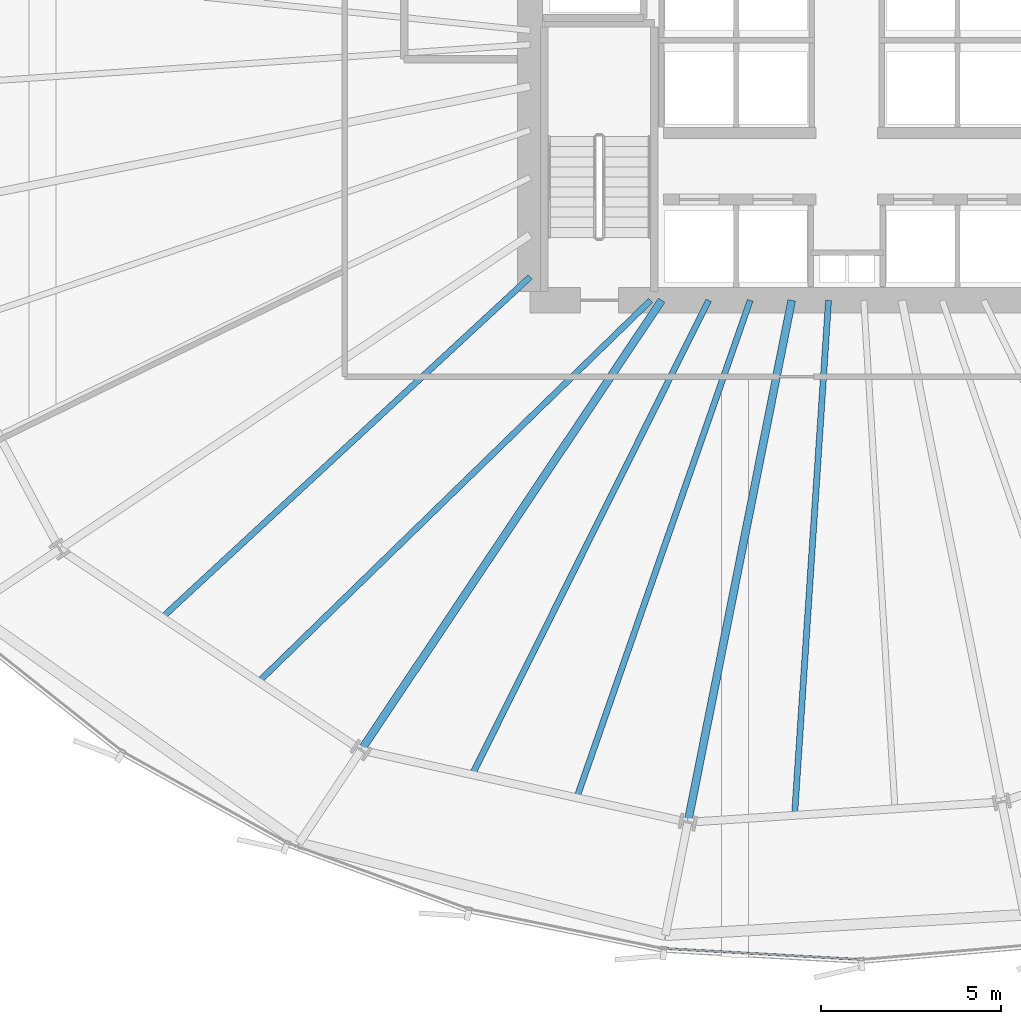
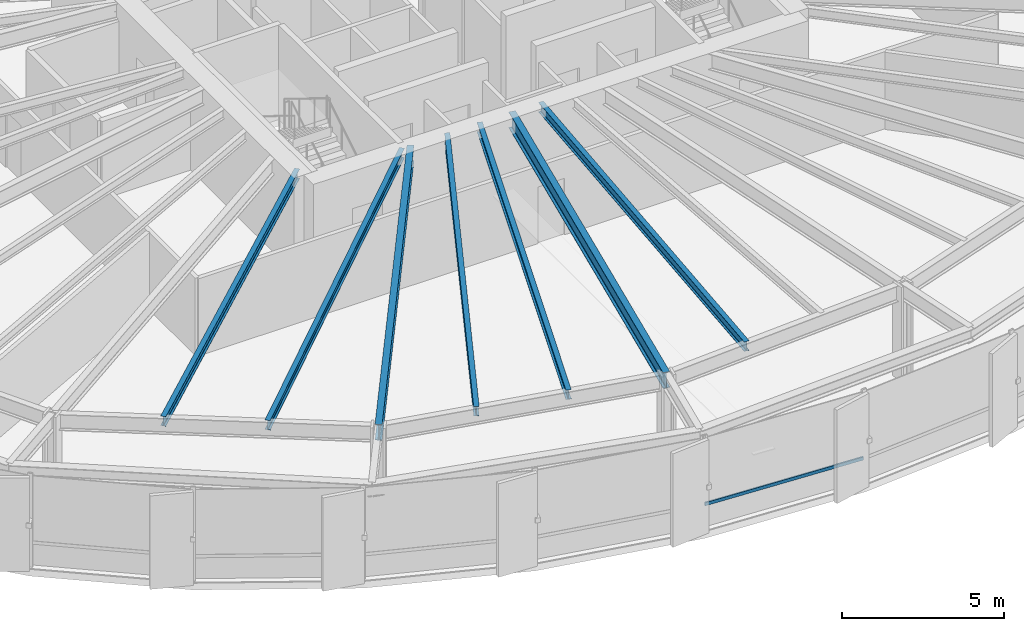
# One storey, part 5 of 39: 7 beams, 1 member, 1 element without a shape of its own.
"""IFC4 building model written with IfcOpenShell, lengths in metres."""

from ifc_helpers import new_model, si_unit, direction, frame, origin, origin_2d, place, context, subcontext, project, spatial, hollow_rectangle, i_section, extrude, source, transform, mapped, material, layer, layer_set, material_profile, profile_set, type_object, element, aggregate, save


model = new_model("IFC4")

# Units and contexts
model_context = context("Model", 3, precision=1e-05, world=origin(), true_north=direction((0.0, 1.0)))
body_context = subcontext(model_context, "Body", "Model", "MODEL_VIEW")
ifc_project = project(units=[si_unit("LENGTHUNIT", "METRE"), si_unit("AREAUNIT", "SQUARE_METRE"), si_unit("VOLUMEUNIT", "CUBIC_METRE"), si_unit("PLANEANGLEUNIT", "RADIAN"), si_unit("MASSUNIT", "GRAM", prefix="KILO"), si_unit("THERMODYNAMICTEMPERATUREUNIT", "KELVIN")], contexts=[model_context])

# Site, building, storey
site_placement = place(None, origin())
site = spatial("IfcSite", under=ifc_project, at=site_placement, CompositionType="ELEMENT")
building_placement = place(site_placement, origin())
building = spatial("IfcBuilding", under=site, at=building_placement, Name="Kethvar Cultural Tower", CompositionType="ELEMENT")
storey_placement = place(building_placement, frame((0.0, 0.0, 33.39990234375)))
storey = spatial("IfcBuildingStorey", under=building, at=storey_placement, Name="L07", CompositionType="ELEMENT", Elevation=33.39990234375)

# Beams
ifc_material_1 = material(Name="Steel S355J2", Category="steel")
ifc_material_profile_1 = material_profile(ifc_material_1, i_section(OverallWidth=0.219970703125, OverallDepth=0.60009765625, WebThickness=0.011962890625, FlangeThickness=0.01904296875, FilletRadius=0.02392578125, at=origin_2d()), Name="Steel S355J2 — IPE600")
ifc_profile_set_1 = profile_set([ifc_material_profile_1], Name="Steel S355J2 — IPE600")
beam_type_1 = type_object("IfcBeamType", Name="BM-IPE600", PredefinedType="BEAM", material=ifc_profile_set_1)
shared_shape_1 = source(origin(), body_context, "Body", "SweptSolid", [
    extrude(i_section(OverallWidth=0.219970703125, OverallDepth=0.60009765625, WebThickness=0.011962890625, FlangeThickness=0.01904296875, FilletRadius=0.02392578125, at=origin_2d()), origin(), (0.0, 0.0, 1.0), 15.03515625),
])
beam_1_placement = place(storey_placement, frame((41.655029296875, 20.10009765625, 3.248046875), z_axis=(-0.555569254616, -0.83147026605, 0.0), x_axis=(0.83147026605, -0.555569254616, 0.0)))
element("IfcBeam", 1, at=beam_1_placement, inside=storey, type_object=beam_type_1, Name="L07 Primary Radial Beam RB-11", PredefinedType="BEAM", context=body_context, shape_type="MappedRepresentation", body=[
    mapped(shared_shape_1, transform((0.0, 0.0, 0.0), scale=1.0)),
])
shared_shape_2 = source(origin(), body_context, "Body", "SweptSolid", [
    extrude(i_section(OverallWidth=0.219970703125, OverallDepth=0.60009765625, WebThickness=0.011962890625, FlangeThickness=0.01904296875, FilletRadius=0.02392578125, at=origin_2d()), origin(), (0.0, 0.0, 1.0), 14.7880859375),
])
beam_2_placement = place(storey_placement, frame((45.268310546875, 20.10009765625, 3.248046875), z_axis=(-0.1950905456, -0.98078523593, 0.0), x_axis=(0.98078523593, -0.1950905456, 0.0)))
element("IfcBeam", 2, at=beam_2_placement, inside=storey, type_object=beam_type_1, Name="L07 Primary Radial Beam RB-12", PredefinedType="BEAM", context=body_context, shape_type="MappedRepresentation", body=[
    mapped(shared_shape_2, transform((0.0, 0.0, 0.0), scale=1.0)),
])
ifc_material_profile_2 = material_profile(ifc_material_1, i_section(OverallWidth=0.169921875, OverallDepth=0.360107421875, WebThickness=0.008056640625, FlangeThickness=0.0126953125, FilletRadius=0.01806640625, at=origin_2d()), Name="Steel S355J2 — IPE360")
ifc_profile_set_2 = profile_set([ifc_material_profile_2], Name="Steel S355J2 — IPE360")
beam_type_2 = type_object("IfcBeamType", Name="BM-J360", PredefinedType="JOIST", material=ifc_profile_set_2)
shared_shape_3 = source(origin(), body_context, "Body", "SweptSolid", [
    extrude(i_section(OverallWidth=0.169921875, OverallDepth=0.360107421875, WebThickness=0.008056640625, FlangeThickness=0.0126953125, FilletRadius=0.01806640625, at=origin_2d()), origin(), (0.0, 0.0, 1.0), 13.93505859375),
])
beam_3_placement = place(storey_placement, frame((38.0, 20.75, 3.3681640625), z_axis=(-0.733909459287, -0.679247308106, 0.0), x_axis=(0.679247308106, -0.733909459287, 0.0)))
element("IfcBeam", 3, at=beam_3_placement, inside=storey, type_object=beam_type_2, Name="L07 Composite Floor Joist J-10A", PredefinedType="JOIST", context=body_context, shape_type="MappedRepresentation", body=[
    mapped(shared_shape_3, transform((0.0, 0.0, 0.0), scale=1.0)),
])
shared_shape_4 = source(origin(), body_context, "Body", "SweptSolid", [
    extrude(i_section(OverallWidth=0.169921875, OverallDepth=0.360107421875, WebThickness=0.008056640625, FlangeThickness=0.0126953125, FilletRadius=0.01806640625, at=origin_2d()), origin(), (0.0, 0.0, 1.0), 15.20361328125),
])
beam_4_placement = place(storey_placement, frame((41.35009765625, 20.10009765625, 3.3681640625), z_axis=(-0.716707709325, -0.697373687053, 0.0), x_axis=(0.697373687053, -0.716707709325, 0.0)))
element("IfcBeam", 4, at=beam_4_placement, inside=storey, type_object=beam_type_2, Name="L07 Composite Floor Joist J-10B", PredefinedType="JOIST", context=body_context, shape_type="MappedRepresentation", body=[
    mapped(shared_shape_4, transform((0.0, 0.0, 0.0), scale=1.0)),
])
shared_shape_5 = source(origin(), body_context, "Body", "SweptSolid", [
    extrude(i_section(OverallWidth=0.169921875, OverallDepth=0.360107421875, WebThickness=0.008056640625, FlangeThickness=0.0126953125, FilletRadius=0.01806640625, at=origin_2d()), origin(), (0.0, 0.0, 1.0), 14.729248046875),
])
beam_5_placement = place(storey_placement, frame((42.961181640625, 20.10009765625, 3.3681640625), z_axis=(-0.446152473361, -0.894956965733, 0.0), x_axis=(0.894956965733, -0.446152473361, 0.0)))
element("IfcBeam", 5, at=beam_5_placement, inside=storey, type_object=beam_type_2, Name="L07 Composite Floor Joist J-11A", PredefinedType="JOIST", context=body_context, shape_type="MappedRepresentation", body=[
    mapped(shared_shape_5, transform((0.0, 0.0, 0.0), scale=1.0)),
])
shared_shape_6 = source(origin(), body_context, "Body", "SweptSolid", [
    extrude(i_section(OverallWidth=0.169921875, OverallDepth=0.360107421875, WebThickness=0.008056640625, FlangeThickness=0.0126953125, FilletRadius=0.01806640625, at=origin_2d()), origin(), (0.0, 0.0, 1.0), 14.63916015625),
])
beam_6_placement = place(storey_placement, frame((44.115234375, 20.10009765625, 3.3681640625), z_axis=(-0.329226238223, -0.94425107046, 0.0), x_axis=(0.94425107046, -0.329226238223, 0.0)))
element("IfcBeam", 6, at=beam_6_placement, inside=storey, type_object=beam_type_2, Name="L07 Composite Floor Joist J-11B", PredefinedType="JOIST", context=body_context, shape_type="MappedRepresentation", body=[
    mapped(shared_shape_6, transform((0.0, 0.0, 0.0), scale=1.0)),
])
shared_shape_7 = source(origin(), body_context, "Body", "SweptSolid", [
    extrude(i_section(OverallWidth=0.169921875, OverallDepth=0.360107421875, WebThickness=0.008056640625, FlangeThickness=0.0126953125, FilletRadius=0.01806640625, at=origin_2d()), origin(), (0.0, 0.0, 1.0), 14.34228515625),
])
beam_7_placement = place(storey_placement, frame((46.292236328125, 20.10009765625, 3.3681640625), z_axis=(-0.065808348808, -0.997832281111, 0.0), x_axis=(0.997832281111, -0.065808348808, 0.0)))
element("IfcBeam", 7, at=beam_7_placement, inside=storey, type_object=beam_type_2, Name="L07 Composite Floor Joist J-12A", PredefinedType="JOIST", context=body_context, shape_type="MappedRepresentation", body=[
    mapped(shared_shape_7, transform((0.0, 0.0, 0.0), scale=1.0)),
])

# Curtain wall, member
ifc_material_2 = material(Name="Aluminium 6063-T6", Category="aluminium")
ifc_layer = layer(ifc_material_2, 0.179931640625, Name="Aluminium 6063-T6", Category="aluminium")
ifc_layer_set = layer_set([ifc_layer], Name="Aluminium 6063-T6 (180 mm)")
curtain_wall_type = type_object("IfcCurtainWallType", Name="CW-SYS-02-Z1", PredefinedType="NOTDEFINED", material=ifc_layer_set)
curtain_wall_placement = place(storey_placement, origin())
curtain_wall = element("IfcCurtainWall", 8, at=curtain_wall_placement, inside=storey, type_object=curtain_wall_type, Name="L07 Curtain Wall Run 06", PredefinedType="NOTDEFINED")
ifc_material_profile_3 = material_profile(ifc_material_2, hollow_rectangle(XDim=0.054931640625, YDim=0.1201171875, WallThickness=0.00390625, at=origin_2d()), Name="Aluminium 6063-T6 — RHS120x55x4")
ifc_profile_set_3 = profile_set([ifc_material_profile_3], Name="Aluminium 6063-T6 — RHS120x55x4")
member_type = type_object("IfcMemberType", Name="CW-SYS-02-Z1-TRN", PredefinedType="USERDEFINED", material=ifc_profile_set_3)
shared_shape_8 = source(origin(), body_context, "Body", "SweptSolid", [
    extrude(hollow_rectangle(XDim=0.054931640625, YDim=0.1201171875, WallThickness=0.00390625, at=origin_2d()), origin(), (0.0, 0.0, 1.0), 5.4580078125),
])
member_placement = place(storey_placement, frame((41.72119140625, 2.08935546875, 0.9501953125), z_axis=(0.998438114544, -0.055868877069, 0.0), x_axis=(0.055868877069, 0.998438114544, 0.0)))
member = element("IfcMember", 9, at=member_placement, type_object=member_type, Name="CW-L07-R06 Transom 1", ObjectType="TRANSOM", PredefinedType="USERDEFINED", context=body_context, shape_type="MappedRepresentation", body=[
    mapped(shared_shape_8, transform((0.0, 0.0, 0.0), scale=1.0)),
])
aggregate(curtain_wall, [member])

save(model, "model.ifc")
